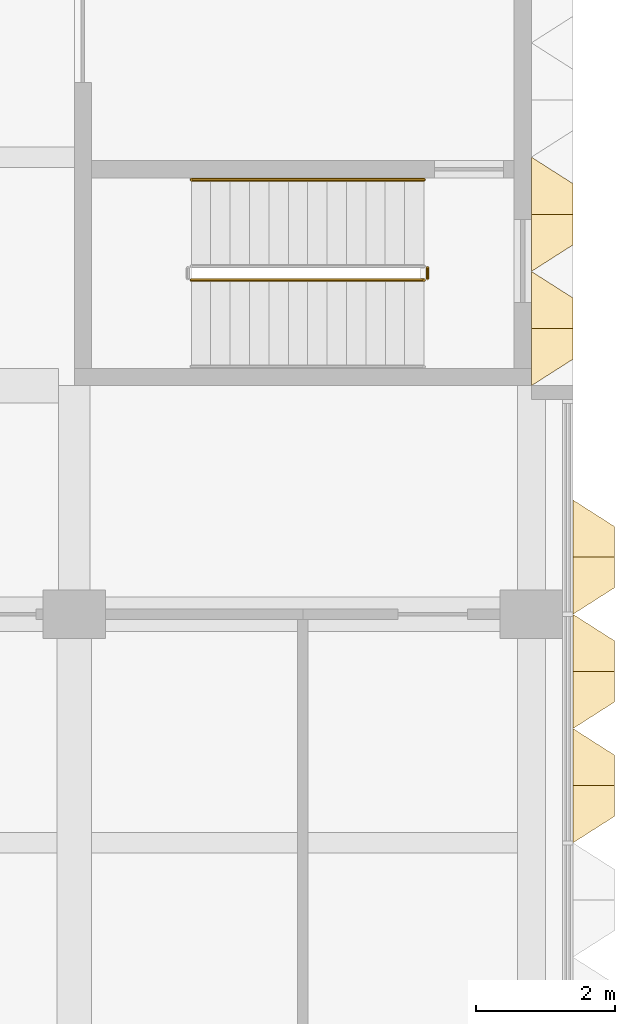
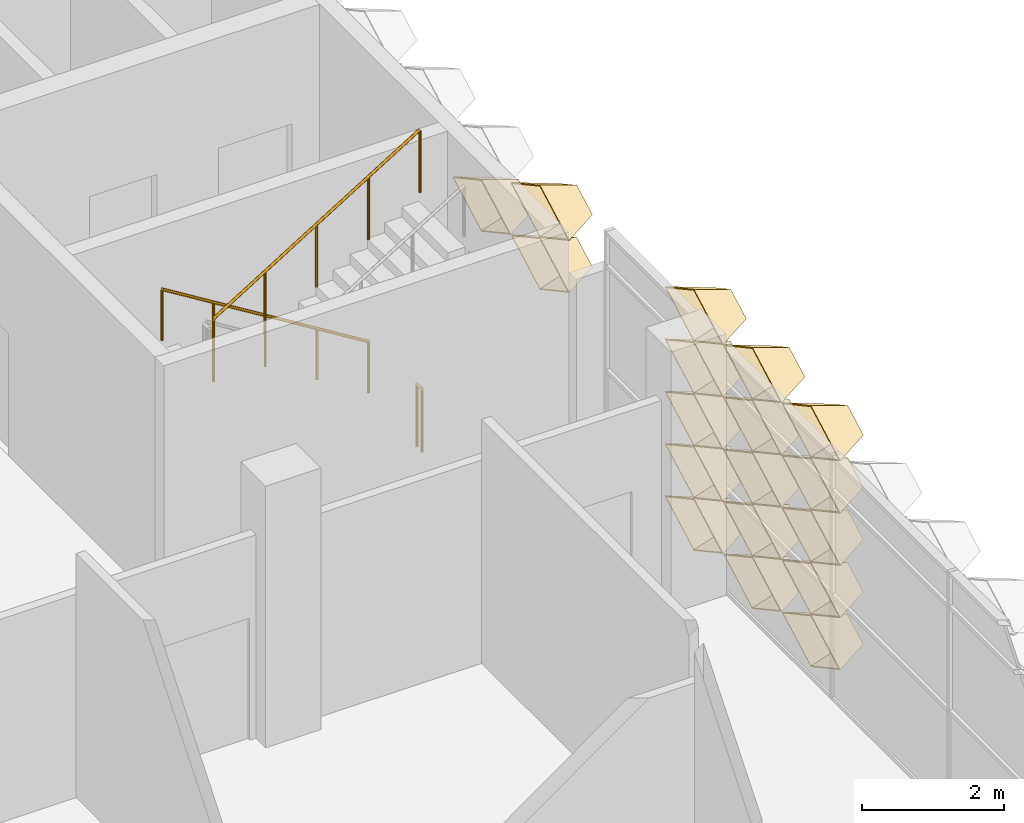
# One storey, part 79 of 102: 18 coverings, 3 railings.
"""IFC4 building model written with IfcOpenShell, lengths in metres."""

import ifcopenshell
import ifcopenshell.guid

model = None  # the IFC model being written
_history = None  # IfcOwnerHistory: only IFC2X3 demands one
_inside = {}  # id of a spatial element -> (the spatial element, [elements in it])
_under = {}  # id of a project, library or spatial element -> (it, [spatial elements below it])
_declared = {}  # id of a project -> (the project, [libraries it declares])
_typed = {}  # id of a type object -> (the type object, [elements of that type])
_made_of = {}  # id of a material, layer set ... -> (it, [elements and type objects made of it])


def new_model(schema):
    """Start an empty IFC model of exactly this schema.

    Asked for "IFC4X3", IfcOpenShell would pick the latest addendum, in which some entities
    have other attributes; the version numbers below select the first issue.
    IFC2X3 requires an IfcOwnerHistory on every rooted entity: one is made here for all.
    """
    global model, _history
    if schema == "IFC4X3":
        model = ifcopenshell.file(schema_version=(4, 3, 0, 0))
    else:
        model = ifcopenshell.file(schema=schema)
    _inside.clear()
    _under.clear()
    _declared.clear()
    _typed.clear()
    _made_of.clear()
    _history = None
    if model.schema == "IFC2X3":
        org = make("IfcOrganization", Name="unknown")
        user = make(
            "IfcPersonAndOrganization",
            ThePerson=make("IfcPerson", FamilyName="unknown"),
            TheOrganization=org,
        )
        app = make(
            "IfcApplication",
            ApplicationDeveloper=org,
            Version="unknown",
            ApplicationFullName="unknown",
            ApplicationIdentifier="unknown",
        )
        _history = make(
            "IfcOwnerHistory",
            OwningUser=user,
            OwningApplication=app,
            ChangeAction="ADDED",
            CreationDate=0,
        )
    return model


def make(cls, **values):
    """One entity of the class cls with the attributes given. An attribute that is None is left unset."""
    return model.create_entity(
        cls, **{name: value for name, value in values.items() if value is not None}
    )


def entity(cls, *values):
    """Any entity or typed value of the class cls, its attributes in the order of the schema. None: left unset."""
    e = model.create_entity(cls)
    for i, value in enumerate(values):
        if value is not None:
            e[i] = value
    return e


def rooted(cls, **values):
    """An entity with a GlobalId (a new one), such as an element, a storey or a relation."""
    return make(cls, GlobalId=ifcopenshell.guid.new(), OwnerHistory=_history, **values)


def si_unit(unit_type, name, prefix=None):
    """IfcSIUnit, for example si_unit("LENGTHUNIT", "METRE", prefix="MILLI")."""
    return make("IfcSIUnit", UnitType=unit_type, Prefix=prefix, Name=name)


def assignment(units):
    """IfcUnitAssignment: the units of a project."""
    return None if units is None else make("IfcUnitAssignment", Units=units)


def point(xyz):
    """IfcCartesianPoint."""
    return None if xyz is None else make("IfcCartesianPoint", Coordinates=xyz)


def direction(xyz):
    """IfcDirection."""
    return None if xyz is None else make("IfcDirection", DirectionRatios=xyz)


def frame(location, z_axis=None, x_axis=None):
    """IfcAxis2Placement3D, a coordinate frame: its origin and axes. An axis left out is left unset."""
    return make(
        "IfcAxis2Placement3D",
        Location=point(location),
        Axis=direction(z_axis),
        RefDirection=direction(x_axis),
    )


def frame_2d(location, x_axis=None):
    """IfcAxis2Placement2D, a coordinate frame in the plane: its origin and x axis."""
    return make(
        "IfcAxis2Placement2D", Location=point(location), RefDirection=direction(x_axis)
    )


def origin():
    """The frame at (0, 0, 0) with its axes left unset."""
    return frame((0.0, 0.0, 0.0))


def origin_2d():
    """The frame at (0, 0) in the plane with its x axis left unset."""
    return frame_2d((0.0, 0.0))


def place(relative_to, where):
    """IfcLocalPlacement: puts the frame where relative to a parent placement (None: the world)."""
    return make(
        "IfcLocalPlacement", PlacementRelTo=relative_to, RelativePlacement=where
    )


def context(
    kind, dimensions, precision=None, world=None, true_north=None, identifier=None
):
    """IfcGeometricRepresentationContext, for example the 3D "Model" context."""
    return make(
        "IfcGeometricRepresentationContext",
        ContextIdentifier=identifier,
        ContextType=kind,
        CoordinateSpaceDimension=dimensions,
        Precision=precision,
        WorldCoordinateSystem=world,
        TrueNorth=true_north,
    )


def subcontext(parent, identifier, kind, view, scale=None):
    """IfcGeometricRepresentationSubContext, for example "Body" below "Model"."""
    return make(
        "IfcGeometricRepresentationSubContext",
        ContextIdentifier=identifier,
        ContextType=kind,
        ParentContext=parent,
        TargetScale=scale,
        TargetView=view,
    )


def project(units=None, contexts=None):
    """IfcProject with its units and contexts."""
    return rooted(
        "IfcProject",
        Name="project",
        RepresentationContexts=contexts,
        UnitsInContext=assignment(units),
    )


def spatial(cls, under=None, at=None, **own):
    """A site, building, storey or space (cls), placed at a placement, below another one or the project."""
    s = rooted(cls, ObjectPlacement=at, **own)
    if under is not None:
        _under.setdefault(under.id(), (under, []))[1].append(s)
    return s


def profile(cls, at=None, kind="AREA", **sizes):
    """A parametric profile (cls). Its sizes go by their IFC names, for example OverallWidth=200.0."""
    return make(cls, ProfileType=kind, Position=at, **sizes)


def circle(**sizes):
    """IfcCircleProfileDef."""
    return profile("IfcCircleProfileDef", **sizes)


def extrude(swept, where, along, depth):
    """IfcExtrudedAreaSolid: the profile swept, set in the frame where, extruded along a direction by depth."""
    return make(
        "IfcExtrudedAreaSolid",
        SweptArea=swept,
        Position=where,
        ExtrudedDirection=direction(along),
        Depth=depth,
    )


def shape(context_of_items, identifier, shape_type, items):
    """IfcShapeRepresentation: the items that make up one representation, for example the "Body"."""
    return make(
        "IfcShapeRepresentation",
        ContextOfItems=context_of_items,
        RepresentationIdentifier=identifier,
        RepresentationType=shape_type,
        Items=items,
    )


def material(Name=None, Category=None):
    """IfcMaterial."""
    return make("IfcMaterial", Name=Name, Category=Category)


def layer(
    of_material, thickness, ventilated=None, Name=None, Category=None, Priority=None
):
    """IfcMaterialLayer: one layer of a wall or slab, of a material (None: an air gap)."""
    return make(
        "IfcMaterialLayer",
        Material=of_material,
        LayerThickness=thickness,
        IsVentilated=ventilated,
        Name=Name,
        Category=Category,
        Priority=Priority,
    )


def layer_set(layers, Name=None):
    """IfcMaterialLayerSet."""
    return make("IfcMaterialLayerSet", MaterialLayers=layers, LayerSetName=Name)


def made_of(thing, what):
    """Note that an element or type object is made of a material, layer set ...; save() writes the relation."""
    if what is not None:
        _made_of.setdefault(what.id(), (what, []))[1].append(thing)
    return thing


def type_object(cls, material=None, **own):
    """A type object (cls), such as IfcWallType, which elements share."""
    return made_of(rooted(cls, **own), material)


def element(
    cls,
    number,
    at=None,
    inside=None,
    cuts=None,
    type_object=None,
    material=None,
    context=None,
    identifier="Body",
    shape_type=None,
    held_by="IfcProductDefinitionShape",
    body=None,
    shapes=None,
    **own,
):
    """One element of the class cls, such as IfcWall. Its Tag is "e" and its number.

    at: its placement. inside: the storey or other place that contains it. cuts: it is an
    opening in that element (IfcRelVoidsElement). A single representation is given by context,
    identifier, shape_type and body (its items); several are given by shapes. held_by: the class
    of the entity that holds the representations. save() writes the other relations.
    """
    e = rooted(cls, Tag="e%d" % number, ObjectPlacement=at, **own)
    if body is not None:
        shapes = [shape(context, identifier, shape_type, body)]
    if shapes is not None:
        e.Representation = make(held_by, Representations=shapes)
    if inside is not None:
        _inside.setdefault(inside.id(), (inside, []))[1].append(e)
    if cuts is not None:
        rooted(
            "IfcRelVoidsElement", RelatingBuildingElement=cuts, RelatedOpeningElement=e
        )
    if type_object is not None:
        _typed.setdefault(type_object.id(), (type_object, []))[1].append(e)
    return made_of(e, material)


def aggregate(whole, parts):
    """IfcRelAggregates: a whole, such as a stair, and the parts it consists of."""
    return rooted("IfcRelAggregates", RelatingObject=whole, RelatedObjects=parts)


def save(model, path):
    """Write the relations noted so far, then the file.

    IfcRelAggregates (storeys below a building ...), IfcRelContainedInSpatialStructure (elements
    in a storey), IfcRelDefinesByType, IfcRelAssociatesMaterial and IfcRelDeclares: one each for
    every whole, place, type object, material and project.
    """
    for whole, parts in _under.values():
        aggregate(whole, parts)
    for where, things in _inside.values():
        rooted(
            "IfcRelContainedInSpatialStructure",
            RelatedElements=things,
            RelatingStructure=where,
        )
    for kind, things in _typed.values():
        rooted("IfcRelDefinesByType", RelatedObjects=things, RelatingType=kind)
    for what, things in _made_of.values():
        rooted("IfcRelAssociatesMaterial", RelatedObjects=things, RelatingMaterial=what)
    for by, libraries in _declared.values():
        rooted("IfcRelDeclares", RelatingContext=by, RelatedDefinitions=libraries)
    model.write(path)


model = new_model("IFC4")

# Units and contexts
model_context = context("Model", 3, precision=1e-05, world=origin(), true_north=direction((0.0, 1.0)))
body_context = subcontext(model_context, "Body", "Model", "MODEL_VIEW")
ifc_project = project(units=[si_unit("LENGTHUNIT", "METRE"), si_unit("AREAUNIT", "SQUARE_METRE"), si_unit("VOLUMEUNIT", "CUBIC_METRE"), si_unit("PLANEANGLEUNIT", "RADIAN"), si_unit("MASSUNIT", "GRAM", prefix="KILO")], contexts=[model_context])

# Site, building, storey
site_placement = place(None, origin())
site = spatial("IfcSite", under=ifc_project, at=site_placement, CompositionType="ELEMENT")
building_placement = place(site_placement, origin())
building = spatial("IfcBuilding", under=site, at=building_placement, Name="Lantern Court Research Institute", CompositionType="ELEMENT")
storey_placement = place(building_placement, frame((0.0, 0.0, 9.89990234375)))
storey = spatial("IfcBuildingStorey", under=building, at=storey_placement, Name="L02", CompositionType="ELEMENT", Elevation=9.89990234375)

# Coverings
ifc_material_1 = material(Name="Anodised aluminium", Category="aluminium")
ifc_layer = layer(ifc_material_1, 0.01611328125)
ifc_layer_set = layer_set([ifc_layer], Name="Anodised aluminium")
covering_type = type_object("IfcCoveringType", Name="Fin cassette 1650 x 900 x 600 aluminium", PredefinedType="CLADDING", material=ifc_layer_set)
covering_1_placement = place(storey_placement, frame((79.199951171875, 14.02490234375, 3.150146484375), z_axis=(1.0, 0.0, 0.0), x_axis=(0.0, 1.0, 0.0)))
cartesian_point_1 = entity("IfcCartesianPoint", [0.824951171875, 0.0])
cartesian_point_2 = entity("IfcCartesianPoint", [0.79150390625, 0.0])
cartesian_point_3 = entity("IfcCartesianPoint", [0.44189453125, 0.0])
cartesian_point_4 = entity("IfcCartesianPoint", [0.43359375, 0.0])
element("IfcCovering", 1, at=covering_1_placement, inside=storey, type_object=covering_type, Name="Fin cassette V5E-L02 4.9", PredefinedType="CLADDING", context=body_context, shape_type="SweptSolid", body=[
    entity("IfcExtrudedAreaSolidTapered", entity("IfcArbitraryProfileDefWithVoids", "AREA", None, entity("IfcPolyline", [cartesian_point_1, entity("IfcCartesianPoint", [0.0, 0.449951171875]), entity("IfcCartesianPoint", [-0.824951171875, 0.0]), entity("IfcCartesianPoint", [0.0, -0.449951171875]), cartesian_point_1]), [entity("IfcPolyline", [cartesian_point_2, entity("IfcCartesianPoint", [0.0, 0.431884765625]), entity("IfcCartesianPoint", [-0.79150390625, 0.0]), entity("IfcCartesianPoint", [0.0, -0.431884765625]), cartesian_point_2])]), entity("IfcAxis2Placement3D", entity("IfcCartesianPoint", [0.0, 0.0, 0.0])), entity("IfcDirection", [0.0, 0.0, 1.0]), 0.60009765625, entity("IfcArbitraryProfileDefWithVoids", "AREA", None, entity("IfcPolyline", [cartesian_point_3, entity("IfcCartesianPoint", [0.0, 0.240966796875]), entity("IfcCartesianPoint", [-0.44189453125, 0.0]), entity("IfcCartesianPoint", [0.0, -0.240966796875]), cartesian_point_3]), [entity("IfcPolyline", [cartesian_point_4, entity("IfcCartesianPoint", [0.0, 0.236572265625]), entity("IfcCartesianPoint", [-0.43359375, 0.0]), entity("IfcCartesianPoint", [0.0, -0.236572265625]), cartesian_point_4])])),
])
covering_2_placement = place(storey_placement, frame((79.199951171875, 15.675048828125, 3.150146484375), z_axis=(1.0, 0.0, 0.0), x_axis=(0.0, 1.0, 0.0)))
cartesian_point_5 = entity("IfcCartesianPoint", [0.824951171875, 0.0])
cartesian_point_6 = entity("IfcCartesianPoint", [0.79150390625, 0.0])
cartesian_point_7 = entity("IfcCartesianPoint", [0.44189453125, 0.0])
cartesian_point_8 = entity("IfcCartesianPoint", [0.43359375, 0.0])
element("IfcCovering", 2, at=covering_2_placement, inside=storey, type_object=covering_type, Name="Fin cassette V5E-L02 4.10", PredefinedType="CLADDING", context=body_context, shape_type="SweptSolid", body=[
    entity("IfcExtrudedAreaSolidTapered", entity("IfcArbitraryProfileDefWithVoids", "AREA", None, entity("IfcPolyline", [cartesian_point_5, entity("IfcCartesianPoint", [0.0, 0.449951171875]), entity("IfcCartesianPoint", [-0.824951171875, 0.0]), entity("IfcCartesianPoint", [0.0, -0.449951171875]), cartesian_point_5]), [entity("IfcPolyline", [cartesian_point_6, entity("IfcCartesianPoint", [0.0, 0.431884765625]), entity("IfcCartesianPoint", [-0.79150390625, 0.0]), entity("IfcCartesianPoint", [0.0, -0.431884765625]), cartesian_point_6])]), entity("IfcAxis2Placement3D", entity("IfcCartesianPoint", [0.0, 0.0, 0.0])), entity("IfcDirection", [0.0, 0.0, 1.0]), 0.60009765625, entity("IfcArbitraryProfileDefWithVoids", "AREA", None, entity("IfcPolyline", [cartesian_point_7, entity("IfcCartesianPoint", [0.0, 0.240966796875]), entity("IfcCartesianPoint", [-0.44189453125, 0.0]), entity("IfcCartesianPoint", [0.0, -0.240966796875]), cartesian_point_7]), [entity("IfcPolyline", [cartesian_point_8, entity("IfcCartesianPoint", [0.0, 0.236572265625]), entity("IfcCartesianPoint", [-0.43359375, 0.0]), entity("IfcCartesianPoint", [0.0, -0.236572265625]), cartesian_point_8])])),
])
covering_3_placement = place(storey_placement, frame((79.199951171875, 14.02490234375, 4.050048828125), z_axis=(1.0, 0.0, 0.0), x_axis=(0.0, 1.0, 0.0)))
cartesian_point_9 = entity("IfcCartesianPoint", [0.824951171875, 0.0])
cartesian_point_10 = entity("IfcCartesianPoint", [0.79150390625, 0.0])
cartesian_point_11 = entity("IfcCartesianPoint", [0.44189453125, 0.0])
cartesian_point_12 = entity("IfcCartesianPoint", [0.43359375, 0.0])
element("IfcCovering", 3, at=covering_3_placement, inside=storey, type_object=covering_type, Name="Fin cassette V5E-L02 5.9", PredefinedType="CLADDING", context=body_context, shape_type="SweptSolid", body=[
    entity("IfcExtrudedAreaSolidTapered", entity("IfcArbitraryProfileDefWithVoids", "AREA", None, entity("IfcPolyline", [cartesian_point_9, entity("IfcCartesianPoint", [0.0, 0.449951171875]), entity("IfcCartesianPoint", [-0.824951171875, 0.0]), entity("IfcCartesianPoint", [0.0, -0.449951171875]), cartesian_point_9]), [entity("IfcPolyline", [cartesian_point_10, entity("IfcCartesianPoint", [0.0, 0.431884765625]), entity("IfcCartesianPoint", [-0.79150390625, 0.0]), entity("IfcCartesianPoint", [0.0, -0.431884765625]), cartesian_point_10])]), entity("IfcAxis2Placement3D", entity("IfcCartesianPoint", [0.0, 0.0, 0.0])), entity("IfcDirection", [0.0, 0.0, 1.0]), 0.60009765625, entity("IfcArbitraryProfileDefWithVoids", "AREA", None, entity("IfcPolyline", [cartesian_point_11, entity("IfcCartesianPoint", [0.0, 0.240966796875]), entity("IfcCartesianPoint", [-0.44189453125, 0.0]), entity("IfcCartesianPoint", [0.0, -0.240966796875]), cartesian_point_11]), [entity("IfcPolyline", [cartesian_point_12, entity("IfcCartesianPoint", [0.0, 0.236572265625]), entity("IfcCartesianPoint", [-0.43359375, 0.0]), entity("IfcCartesianPoint", [0.0, -0.236572265625]), cartesian_point_12])])),
])
covering_4_placement = place(storey_placement, frame((79.800048828125, 7.425048828125, 0.4501953125), z_axis=(1.0, 0.0, 0.0), x_axis=(0.0, 1.0, 0.0)))
cartesian_point_13 = entity("IfcCartesianPoint", [0.824951171875, 0.0])
cartesian_point_14 = entity("IfcCartesianPoint", [0.79150390625, 0.0])
cartesian_point_15 = entity("IfcCartesianPoint", [0.44189453125, 0.0])
cartesian_point_16 = entity("IfcCartesianPoint", [0.43359375, 0.0])
element("IfcCovering", 4, at=covering_4_placement, inside=storey, type_object=covering_type, Name="Fin cassette V5E-L02 1.5", PredefinedType="CLADDING", context=body_context, shape_type="SweptSolid", body=[
    entity("IfcExtrudedAreaSolidTapered", entity("IfcArbitraryProfileDefWithVoids", "AREA", None, entity("IfcPolyline", [cartesian_point_13, entity("IfcCartesianPoint", [0.0, 0.449951171875]), entity("IfcCartesianPoint", [-0.824951171875, 0.0]), entity("IfcCartesianPoint", [0.0, -0.449951171875]), cartesian_point_13]), [entity("IfcPolyline", [cartesian_point_14, entity("IfcCartesianPoint", [0.0, 0.431884765625]), entity("IfcCartesianPoint", [-0.79150390625, 0.0]), entity("IfcCartesianPoint", [0.0, -0.431884765625]), cartesian_point_14])]), entity("IfcAxis2Placement3D", entity("IfcCartesianPoint", [0.0, 0.0, 0.0])), entity("IfcDirection", [0.0, 0.0, 1.0]), 0.60009765625, entity("IfcArbitraryProfileDefWithVoids", "AREA", None, entity("IfcPolyline", [cartesian_point_15, entity("IfcCartesianPoint", [0.0, 0.240966796875]), entity("IfcCartesianPoint", [-0.44189453125, 0.0]), entity("IfcCartesianPoint", [0.0, -0.240966796875]), cartesian_point_15]), [entity("IfcPolyline", [cartesian_point_16, entity("IfcCartesianPoint", [0.0, 0.236572265625]), entity("IfcCartesianPoint", [-0.43359375, 0.0]), entity("IfcCartesianPoint", [0.0, -0.236572265625]), cartesian_point_16])])),
])
covering_5_placement = place(storey_placement, frame((79.800048828125, 9.074951171875, 0.4501953125), z_axis=(1.0, 0.0, 0.0), x_axis=(0.0, 1.0, 0.0)))
cartesian_point_17 = entity("IfcCartesianPoint", [0.824951171875, 0.0])
cartesian_point_18 = entity("IfcCartesianPoint", [0.79150390625, 0.0])
cartesian_point_19 = entity("IfcCartesianPoint", [0.44189453125, 0.0])
cartesian_point_20 = entity("IfcCartesianPoint", [0.43359375, 0.0])
element("IfcCovering", 5, at=covering_5_placement, inside=storey, type_object=covering_type, Name="Fin cassette V5E-L02 1.6", PredefinedType="CLADDING", context=body_context, shape_type="SweptSolid", body=[
    entity("IfcExtrudedAreaSolidTapered", entity("IfcArbitraryProfileDefWithVoids", "AREA", None, entity("IfcPolyline", [cartesian_point_17, entity("IfcCartesianPoint", [0.0, 0.449951171875]), entity("IfcCartesianPoint", [-0.824951171875, 0.0]), entity("IfcCartesianPoint", [0.0, -0.449951171875]), cartesian_point_17]), [entity("IfcPolyline", [cartesian_point_18, entity("IfcCartesianPoint", [0.0, 0.431884765625]), entity("IfcCartesianPoint", [-0.79150390625, 0.0]), entity("IfcCartesianPoint", [0.0, -0.431884765625]), cartesian_point_18])]), entity("IfcAxis2Placement3D", entity("IfcCartesianPoint", [0.0, 0.0, 0.0])), entity("IfcDirection", [0.0, 0.0, 1.0]), 0.60009765625, entity("IfcArbitraryProfileDefWithVoids", "AREA", None, entity("IfcPolyline", [cartesian_point_19, entity("IfcCartesianPoint", [0.0, 0.240966796875]), entity("IfcCartesianPoint", [-0.44189453125, 0.0]), entity("IfcCartesianPoint", [0.0, -0.240966796875]), cartesian_point_19]), [entity("IfcPolyline", [cartesian_point_20, entity("IfcCartesianPoint", [0.0, 0.236572265625]), entity("IfcCartesianPoint", [-0.43359375, 0.0]), entity("IfcCartesianPoint", [0.0, -0.236572265625]), cartesian_point_20])])),
])
covering_6_placement = place(storey_placement, frame((79.800048828125, 10.72509765625, 0.4501953125), z_axis=(1.0, 0.0, 0.0), x_axis=(0.0, 1.0, 0.0)))
cartesian_point_21 = entity("IfcCartesianPoint", [0.824951171875, 0.0])
cartesian_point_22 = entity("IfcCartesianPoint", [0.79150390625, 0.0])
cartesian_point_23 = entity("IfcCartesianPoint", [0.44189453125, 0.0])
cartesian_point_24 = entity("IfcCartesianPoint", [0.43359375, 0.0])
element("IfcCovering", 6, at=covering_6_placement, inside=storey, type_object=covering_type, Name="Fin cassette V5E-L02 1.7", PredefinedType="CLADDING", context=body_context, shape_type="SweptSolid", body=[
    entity("IfcExtrudedAreaSolidTapered", entity("IfcArbitraryProfileDefWithVoids", "AREA", None, entity("IfcPolyline", [cartesian_point_21, entity("IfcCartesianPoint", [0.0, 0.449951171875]), entity("IfcCartesianPoint", [-0.824951171875, 0.0]), entity("IfcCartesianPoint", [0.0, -0.449951171875]), cartesian_point_21]), [entity("IfcPolyline", [cartesian_point_22, entity("IfcCartesianPoint", [0.0, 0.431884765625]), entity("IfcCartesianPoint", [-0.79150390625, 0.0]), entity("IfcCartesianPoint", [0.0, -0.431884765625]), cartesian_point_22])]), entity("IfcAxis2Placement3D", entity("IfcCartesianPoint", [0.0, 0.0, 0.0])), entity("IfcDirection", [0.0, 0.0, 1.0]), 0.60009765625, entity("IfcArbitraryProfileDefWithVoids", "AREA", None, entity("IfcPolyline", [cartesian_point_23, entity("IfcCartesianPoint", [0.0, 0.240966796875]), entity("IfcCartesianPoint", [-0.44189453125, 0.0]), entity("IfcCartesianPoint", [0.0, -0.240966796875]), cartesian_point_23]), [entity("IfcPolyline", [cartesian_point_24, entity("IfcCartesianPoint", [0.0, 0.236572265625]), entity("IfcCartesianPoint", [-0.43359375, 0.0]), entity("IfcCartesianPoint", [0.0, -0.236572265625]), cartesian_point_24])])),
])
covering_7_placement = place(storey_placement, frame((79.800048828125, 7.425048828125, 1.35009765625), z_axis=(1.0, 0.0, 0.0), x_axis=(0.0, 1.0, 0.0)))
cartesian_point_25 = entity("IfcCartesianPoint", [0.824951171875, 0.0])
cartesian_point_26 = entity("IfcCartesianPoint", [0.79150390625, 0.0])
cartesian_point_27 = entity("IfcCartesianPoint", [0.44189453125, 0.0])
cartesian_point_28 = entity("IfcCartesianPoint", [0.43359375, 0.0])
element("IfcCovering", 7, at=covering_7_placement, inside=storey, type_object=covering_type, Name="Fin cassette V5E-L02 2.5", PredefinedType="CLADDING", context=body_context, shape_type="SweptSolid", body=[
    entity("IfcExtrudedAreaSolidTapered", entity("IfcArbitraryProfileDefWithVoids", "AREA", None, entity("IfcPolyline", [cartesian_point_25, entity("IfcCartesianPoint", [0.0, 0.449951171875]), entity("IfcCartesianPoint", [-0.824951171875, 0.0]), entity("IfcCartesianPoint", [0.0, -0.449951171875]), cartesian_point_25]), [entity("IfcPolyline", [cartesian_point_26, entity("IfcCartesianPoint", [0.0, 0.431884765625]), entity("IfcCartesianPoint", [-0.79150390625, 0.0]), entity("IfcCartesianPoint", [0.0, -0.431884765625]), cartesian_point_26])]), entity("IfcAxis2Placement3D", entity("IfcCartesianPoint", [0.0, 0.0, 0.0])), entity("IfcDirection", [0.0, 0.0, 1.0]), 0.60009765625, entity("IfcArbitraryProfileDefWithVoids", "AREA", None, entity("IfcPolyline", [cartesian_point_27, entity("IfcCartesianPoint", [0.0, 0.240966796875]), entity("IfcCartesianPoint", [-0.44189453125, 0.0]), entity("IfcCartesianPoint", [0.0, -0.240966796875]), cartesian_point_27]), [entity("IfcPolyline", [cartesian_point_28, entity("IfcCartesianPoint", [0.0, 0.236572265625]), entity("IfcCartesianPoint", [-0.43359375, 0.0]), entity("IfcCartesianPoint", [0.0, -0.236572265625]), cartesian_point_28])])),
])
covering_8_placement = place(storey_placement, frame((79.800048828125, 9.074951171875, 1.35009765625), z_axis=(1.0, 0.0, 0.0), x_axis=(0.0, 1.0, 0.0)))
cartesian_point_29 = entity("IfcCartesianPoint", [0.824951171875, 0.0])
cartesian_point_30 = entity("IfcCartesianPoint", [0.79150390625, 0.0])
cartesian_point_31 = entity("IfcCartesianPoint", [0.44189453125, 0.0])
cartesian_point_32 = entity("IfcCartesianPoint", [0.43359375, 0.0])
element("IfcCovering", 8, at=covering_8_placement, inside=storey, type_object=covering_type, Name="Fin cassette V5E-L02 2.6", PredefinedType="CLADDING", context=body_context, shape_type="SweptSolid", body=[
    entity("IfcExtrudedAreaSolidTapered", entity("IfcArbitraryProfileDefWithVoids", "AREA", None, entity("IfcPolyline", [cartesian_point_29, entity("IfcCartesianPoint", [0.0, 0.449951171875]), entity("IfcCartesianPoint", [-0.824951171875, 0.0]), entity("IfcCartesianPoint", [0.0, -0.449951171875]), cartesian_point_29]), [entity("IfcPolyline", [cartesian_point_30, entity("IfcCartesianPoint", [0.0, 0.431884765625]), entity("IfcCartesianPoint", [-0.79150390625, 0.0]), entity("IfcCartesianPoint", [0.0, -0.431884765625]), cartesian_point_30])]), entity("IfcAxis2Placement3D", entity("IfcCartesianPoint", [0.0, 0.0, 0.0])), entity("IfcDirection", [0.0, 0.0, 1.0]), 0.60009765625, entity("IfcArbitraryProfileDefWithVoids", "AREA", None, entity("IfcPolyline", [cartesian_point_31, entity("IfcCartesianPoint", [0.0, 0.240966796875]), entity("IfcCartesianPoint", [-0.44189453125, 0.0]), entity("IfcCartesianPoint", [0.0, -0.240966796875]), cartesian_point_31]), [entity("IfcPolyline", [cartesian_point_32, entity("IfcCartesianPoint", [0.0, 0.236572265625]), entity("IfcCartesianPoint", [-0.43359375, 0.0]), entity("IfcCartesianPoint", [0.0, -0.236572265625]), cartesian_point_32])])),
])
covering_9_placement = place(storey_placement, frame((79.800048828125, 10.72509765625, 1.35009765625), z_axis=(1.0, 0.0, 0.0), x_axis=(0.0, 1.0, 0.0)))
cartesian_point_33 = entity("IfcCartesianPoint", [0.824951171875, 0.0])
cartesian_point_34 = entity("IfcCartesianPoint", [0.79150390625, 0.0])
cartesian_point_35 = entity("IfcCartesianPoint", [0.44189453125, 0.0])
cartesian_point_36 = entity("IfcCartesianPoint", [0.43359375, 0.0])
element("IfcCovering", 9, at=covering_9_placement, inside=storey, type_object=covering_type, Name="Fin cassette V5E-L02 2.7", PredefinedType="CLADDING", context=body_context, shape_type="SweptSolid", body=[
    entity("IfcExtrudedAreaSolidTapered", entity("IfcArbitraryProfileDefWithVoids", "AREA", None, entity("IfcPolyline", [cartesian_point_33, entity("IfcCartesianPoint", [0.0, 0.449951171875]), entity("IfcCartesianPoint", [-0.824951171875, 0.0]), entity("IfcCartesianPoint", [0.0, -0.449951171875]), cartesian_point_33]), [entity("IfcPolyline", [cartesian_point_34, entity("IfcCartesianPoint", [0.0, 0.431884765625]), entity("IfcCartesianPoint", [-0.79150390625, 0.0]), entity("IfcCartesianPoint", [0.0, -0.431884765625]), cartesian_point_34])]), entity("IfcAxis2Placement3D", entity("IfcCartesianPoint", [0.0, 0.0, 0.0])), entity("IfcDirection", [0.0, 0.0, 1.0]), 0.60009765625, entity("IfcArbitraryProfileDefWithVoids", "AREA", None, entity("IfcPolyline", [cartesian_point_35, entity("IfcCartesianPoint", [0.0, 0.240966796875]), entity("IfcCartesianPoint", [-0.44189453125, 0.0]), entity("IfcCartesianPoint", [0.0, -0.240966796875]), cartesian_point_35]), [entity("IfcPolyline", [cartesian_point_36, entity("IfcCartesianPoint", [0.0, 0.236572265625]), entity("IfcCartesianPoint", [-0.43359375, 0.0]), entity("IfcCartesianPoint", [0.0, -0.236572265625]), cartesian_point_36])])),
])
covering_10_placement = place(storey_placement, frame((79.800048828125, 7.425048828125, 2.25), z_axis=(1.0, 0.0, 0.0), x_axis=(0.0, 1.0, 0.0)))
cartesian_point_37 = entity("IfcCartesianPoint", [0.824951171875, 0.0])
cartesian_point_38 = entity("IfcCartesianPoint", [0.79150390625, 0.0])
cartesian_point_39 = entity("IfcCartesianPoint", [0.44189453125, 0.0])
cartesian_point_40 = entity("IfcCartesianPoint", [0.43359375, 0.0])
element("IfcCovering", 10, at=covering_10_placement, inside=storey, type_object=covering_type, Name="Fin cassette V5E-L02 3.5", PredefinedType="CLADDING", context=body_context, shape_type="SweptSolid", body=[
    entity("IfcExtrudedAreaSolidTapered", entity("IfcArbitraryProfileDefWithVoids", "AREA", None, entity("IfcPolyline", [cartesian_point_37, entity("IfcCartesianPoint", [0.0, 0.449951171875]), entity("IfcCartesianPoint", [-0.824951171875, 0.0]), entity("IfcCartesianPoint", [0.0, -0.449951171875]), cartesian_point_37]), [entity("IfcPolyline", [cartesian_point_38, entity("IfcCartesianPoint", [0.0, 0.431884765625]), entity("IfcCartesianPoint", [-0.79150390625, 0.0]), entity("IfcCartesianPoint", [0.0, -0.431884765625]), cartesian_point_38])]), entity("IfcAxis2Placement3D", entity("IfcCartesianPoint", [0.0, 0.0, 0.0])), entity("IfcDirection", [0.0, 0.0, 1.0]), 0.60009765625, entity("IfcArbitraryProfileDefWithVoids", "AREA", None, entity("IfcPolyline", [cartesian_point_39, entity("IfcCartesianPoint", [0.0, 0.240966796875]), entity("IfcCartesianPoint", [-0.44189453125, 0.0]), entity("IfcCartesianPoint", [0.0, -0.240966796875]), cartesian_point_39]), [entity("IfcPolyline", [cartesian_point_40, entity("IfcCartesianPoint", [0.0, 0.236572265625]), entity("IfcCartesianPoint", [-0.43359375, 0.0]), entity("IfcCartesianPoint", [0.0, -0.236572265625]), cartesian_point_40])])),
])
covering_11_placement = place(storey_placement, frame((79.800048828125, 9.074951171875, 2.25), z_axis=(1.0, 0.0, 0.0), x_axis=(0.0, 1.0, 0.0)))
cartesian_point_41 = entity("IfcCartesianPoint", [0.824951171875, 0.0])
cartesian_point_42 = entity("IfcCartesianPoint", [0.79150390625, 0.0])
cartesian_point_43 = entity("IfcCartesianPoint", [0.44189453125, 0.0])
cartesian_point_44 = entity("IfcCartesianPoint", [0.43359375, 0.0])
element("IfcCovering", 11, at=covering_11_placement, inside=storey, type_object=covering_type, Name="Fin cassette V5E-L02 3.6", PredefinedType="CLADDING", context=body_context, shape_type="SweptSolid", body=[
    entity("IfcExtrudedAreaSolidTapered", entity("IfcArbitraryProfileDefWithVoids", "AREA", None, entity("IfcPolyline", [cartesian_point_41, entity("IfcCartesianPoint", [0.0, 0.449951171875]), entity("IfcCartesianPoint", [-0.824951171875, 0.0]), entity("IfcCartesianPoint", [0.0, -0.449951171875]), cartesian_point_41]), [entity("IfcPolyline", [cartesian_point_42, entity("IfcCartesianPoint", [0.0, 0.431884765625]), entity("IfcCartesianPoint", [-0.79150390625, 0.0]), entity("IfcCartesianPoint", [0.0, -0.431884765625]), cartesian_point_42])]), entity("IfcAxis2Placement3D", entity("IfcCartesianPoint", [0.0, 0.0, 0.0])), entity("IfcDirection", [0.0, 0.0, 1.0]), 0.60009765625, entity("IfcArbitraryProfileDefWithVoids", "AREA", None, entity("IfcPolyline", [cartesian_point_43, entity("IfcCartesianPoint", [0.0, 0.240966796875]), entity("IfcCartesianPoint", [-0.44189453125, 0.0]), entity("IfcCartesianPoint", [0.0, -0.240966796875]), cartesian_point_43]), [entity("IfcPolyline", [cartesian_point_44, entity("IfcCartesianPoint", [0.0, 0.236572265625]), entity("IfcCartesianPoint", [-0.43359375, 0.0]), entity("IfcCartesianPoint", [0.0, -0.236572265625]), cartesian_point_44])])),
])
covering_12_placement = place(storey_placement, frame((79.800048828125, 10.72509765625, 2.25), z_axis=(1.0, 0.0, 0.0), x_axis=(0.0, 1.0, 0.0)))
cartesian_point_45 = entity("IfcCartesianPoint", [0.824951171875, 0.0])
cartesian_point_46 = entity("IfcCartesianPoint", [0.79150390625, 0.0])
cartesian_point_47 = entity("IfcCartesianPoint", [0.44189453125, 0.0])
cartesian_point_48 = entity("IfcCartesianPoint", [0.43359375, 0.0])
element("IfcCovering", 12, at=covering_12_placement, inside=storey, type_object=covering_type, Name="Fin cassette V5E-L02 3.7", PredefinedType="CLADDING", context=body_context, shape_type="SweptSolid", body=[
    entity("IfcExtrudedAreaSolidTapered", entity("IfcArbitraryProfileDefWithVoids", "AREA", None, entity("IfcPolyline", [cartesian_point_45, entity("IfcCartesianPoint", [0.0, 0.449951171875]), entity("IfcCartesianPoint", [-0.824951171875, 0.0]), entity("IfcCartesianPoint", [0.0, -0.449951171875]), cartesian_point_45]), [entity("IfcPolyline", [cartesian_point_46, entity("IfcCartesianPoint", [0.0, 0.431884765625]), entity("IfcCartesianPoint", [-0.79150390625, 0.0]), entity("IfcCartesianPoint", [0.0, -0.431884765625]), cartesian_point_46])]), entity("IfcAxis2Placement3D", entity("IfcCartesianPoint", [0.0, 0.0, 0.0])), entity("IfcDirection", [0.0, 0.0, 1.0]), 0.60009765625, entity("IfcArbitraryProfileDefWithVoids", "AREA", None, entity("IfcPolyline", [cartesian_point_47, entity("IfcCartesianPoint", [0.0, 0.240966796875]), entity("IfcCartesianPoint", [-0.44189453125, 0.0]), entity("IfcCartesianPoint", [0.0, -0.240966796875]), cartesian_point_47]), [entity("IfcPolyline", [cartesian_point_48, entity("IfcCartesianPoint", [0.0, 0.236572265625]), entity("IfcCartesianPoint", [-0.43359375, 0.0]), entity("IfcCartesianPoint", [0.0, -0.236572265625]), cartesian_point_48])])),
])
covering_13_placement = place(storey_placement, frame((79.800048828125, 7.425048828125, 3.150146484375), z_axis=(1.0, 0.0, 0.0), x_axis=(0.0, 1.0, 0.0)))
cartesian_point_49 = entity("IfcCartesianPoint", [0.824951171875, 0.0])
cartesian_point_50 = entity("IfcCartesianPoint", [0.79150390625, 0.0])
cartesian_point_51 = entity("IfcCartesianPoint", [0.44189453125, 0.0])
cartesian_point_52 = entity("IfcCartesianPoint", [0.43359375, 0.0])
element("IfcCovering", 13, at=covering_13_placement, inside=storey, type_object=covering_type, Name="Fin cassette V5E-L02 4.5", PredefinedType="CLADDING", context=body_context, shape_type="SweptSolid", body=[
    entity("IfcExtrudedAreaSolidTapered", entity("IfcArbitraryProfileDefWithVoids", "AREA", None, entity("IfcPolyline", [cartesian_point_49, entity("IfcCartesianPoint", [0.0, 0.449951171875]), entity("IfcCartesianPoint", [-0.824951171875, 0.0]), entity("IfcCartesianPoint", [0.0, -0.449951171875]), cartesian_point_49]), [entity("IfcPolyline", [cartesian_point_50, entity("IfcCartesianPoint", [0.0, 0.431884765625]), entity("IfcCartesianPoint", [-0.79150390625, 0.0]), entity("IfcCartesianPoint", [0.0, -0.431884765625]), cartesian_point_50])]), entity("IfcAxis2Placement3D", entity("IfcCartesianPoint", [0.0, 0.0, 0.0])), entity("IfcDirection", [0.0, 0.0, 1.0]), 0.60009765625, entity("IfcArbitraryProfileDefWithVoids", "AREA", None, entity("IfcPolyline", [cartesian_point_51, entity("IfcCartesianPoint", [0.0, 0.240966796875]), entity("IfcCartesianPoint", [-0.44189453125, 0.0]), entity("IfcCartesianPoint", [0.0, -0.240966796875]), cartesian_point_51]), [entity("IfcPolyline", [cartesian_point_52, entity("IfcCartesianPoint", [0.0, 0.236572265625]), entity("IfcCartesianPoint", [-0.43359375, 0.0]), entity("IfcCartesianPoint", [0.0, -0.236572265625]), cartesian_point_52])])),
])
covering_14_placement = place(storey_placement, frame((79.800048828125, 9.074951171875, 3.150146484375), z_axis=(1.0, 0.0, 0.0), x_axis=(0.0, 1.0, 0.0)))
cartesian_point_53 = entity("IfcCartesianPoint", [0.824951171875, 0.0])
cartesian_point_54 = entity("IfcCartesianPoint", [0.79150390625, 0.0])
cartesian_point_55 = entity("IfcCartesianPoint", [0.44189453125, 0.0])
cartesian_point_56 = entity("IfcCartesianPoint", [0.43359375, 0.0])
element("IfcCovering", 14, at=covering_14_placement, inside=storey, type_object=covering_type, Name="Fin cassette V5E-L02 4.6", PredefinedType="CLADDING", context=body_context, shape_type="SweptSolid", body=[
    entity("IfcExtrudedAreaSolidTapered", entity("IfcArbitraryProfileDefWithVoids", "AREA", None, entity("IfcPolyline", [cartesian_point_53, entity("IfcCartesianPoint", [0.0, 0.449951171875]), entity("IfcCartesianPoint", [-0.824951171875, 0.0]), entity("IfcCartesianPoint", [0.0, -0.449951171875]), cartesian_point_53]), [entity("IfcPolyline", [cartesian_point_54, entity("IfcCartesianPoint", [0.0, 0.431884765625]), entity("IfcCartesianPoint", [-0.79150390625, 0.0]), entity("IfcCartesianPoint", [0.0, -0.431884765625]), cartesian_point_54])]), entity("IfcAxis2Placement3D", entity("IfcCartesianPoint", [0.0, 0.0, 0.0])), entity("IfcDirection", [0.0, 0.0, 1.0]), 0.60009765625, entity("IfcArbitraryProfileDefWithVoids", "AREA", None, entity("IfcPolyline", [cartesian_point_55, entity("IfcCartesianPoint", [0.0, 0.240966796875]), entity("IfcCartesianPoint", [-0.44189453125, 0.0]), entity("IfcCartesianPoint", [0.0, -0.240966796875]), cartesian_point_55]), [entity("IfcPolyline", [cartesian_point_56, entity("IfcCartesianPoint", [0.0, 0.236572265625]), entity("IfcCartesianPoint", [-0.43359375, 0.0]), entity("IfcCartesianPoint", [0.0, -0.236572265625]), cartesian_point_56])])),
])
covering_15_placement = place(storey_placement, frame((79.800048828125, 10.72509765625, 3.150146484375), z_axis=(1.0, 0.0, 0.0), x_axis=(0.0, 1.0, 0.0)))
cartesian_point_57 = entity("IfcCartesianPoint", [0.824951171875, 0.0])
cartesian_point_58 = entity("IfcCartesianPoint", [0.79150390625, 0.0])
cartesian_point_59 = entity("IfcCartesianPoint", [0.44189453125, 0.0])
cartesian_point_60 = entity("IfcCartesianPoint", [0.43359375, 0.0])
element("IfcCovering", 15, at=covering_15_placement, inside=storey, type_object=covering_type, Name="Fin cassette V5E-L02 4.7", PredefinedType="CLADDING", context=body_context, shape_type="SweptSolid", body=[
    entity("IfcExtrudedAreaSolidTapered", entity("IfcArbitraryProfileDefWithVoids", "AREA", None, entity("IfcPolyline", [cartesian_point_57, entity("IfcCartesianPoint", [0.0, 0.449951171875]), entity("IfcCartesianPoint", [-0.824951171875, 0.0]), entity("IfcCartesianPoint", [0.0, -0.449951171875]), cartesian_point_57]), [entity("IfcPolyline", [cartesian_point_58, entity("IfcCartesianPoint", [0.0, 0.431884765625]), entity("IfcCartesianPoint", [-0.79150390625, 0.0]), entity("IfcCartesianPoint", [0.0, -0.431884765625]), cartesian_point_58])]), entity("IfcAxis2Placement3D", entity("IfcCartesianPoint", [0.0, 0.0, 0.0])), entity("IfcDirection", [0.0, 0.0, 1.0]), 0.60009765625, entity("IfcArbitraryProfileDefWithVoids", "AREA", None, entity("IfcPolyline", [cartesian_point_59, entity("IfcCartesianPoint", [0.0, 0.240966796875]), entity("IfcCartesianPoint", [-0.44189453125, 0.0]), entity("IfcCartesianPoint", [0.0, -0.240966796875]), cartesian_point_59]), [entity("IfcPolyline", [cartesian_point_60, entity("IfcCartesianPoint", [0.0, 0.236572265625]), entity("IfcCartesianPoint", [-0.43359375, 0.0]), entity("IfcCartesianPoint", [0.0, -0.236572265625]), cartesian_point_60])])),
])
covering_16_placement = place(storey_placement, frame((79.800048828125, 7.425048828125, 4.050048828125), z_axis=(1.0, 0.0, 0.0), x_axis=(0.0, 1.0, 0.0)))
cartesian_point_61 = entity("IfcCartesianPoint", [0.824951171875, 0.0])
cartesian_point_62 = entity("IfcCartesianPoint", [0.79150390625, 0.0])
cartesian_point_63 = entity("IfcCartesianPoint", [0.44189453125, 0.0])
cartesian_point_64 = entity("IfcCartesianPoint", [0.43359375, 0.0])
element("IfcCovering", 16, at=covering_16_placement, inside=storey, type_object=covering_type, Name="Fin cassette V5E-L02 5.5", PredefinedType="CLADDING", context=body_context, shape_type="SweptSolid", body=[
    entity("IfcExtrudedAreaSolidTapered", entity("IfcArbitraryProfileDefWithVoids", "AREA", None, entity("IfcPolyline", [cartesian_point_61, entity("IfcCartesianPoint", [0.0, 0.449951171875]), entity("IfcCartesianPoint", [-0.824951171875, 0.0]), entity("IfcCartesianPoint", [0.0, -0.449951171875]), cartesian_point_61]), [entity("IfcPolyline", [cartesian_point_62, entity("IfcCartesianPoint", [0.0, 0.431884765625]), entity("IfcCartesianPoint", [-0.79150390625, 0.0]), entity("IfcCartesianPoint", [0.0, -0.431884765625]), cartesian_point_62])]), entity("IfcAxis2Placement3D", entity("IfcCartesianPoint", [0.0, 0.0, 0.0])), entity("IfcDirection", [0.0, 0.0, 1.0]), 0.60009765625, entity("IfcArbitraryProfileDefWithVoids", "AREA", None, entity("IfcPolyline", [cartesian_point_63, entity("IfcCartesianPoint", [0.0, 0.240966796875]), entity("IfcCartesianPoint", [-0.44189453125, 0.0]), entity("IfcCartesianPoint", [0.0, -0.240966796875]), cartesian_point_63]), [entity("IfcPolyline", [cartesian_point_64, entity("IfcCartesianPoint", [0.0, 0.236572265625]), entity("IfcCartesianPoint", [-0.43359375, 0.0]), entity("IfcCartesianPoint", [0.0, -0.236572265625]), cartesian_point_64])])),
])
covering_17_placement = place(storey_placement, frame((79.800048828125, 9.074951171875, 4.050048828125), z_axis=(1.0, 0.0, 0.0), x_axis=(0.0, 1.0, 0.0)))
cartesian_point_65 = entity("IfcCartesianPoint", [0.824951171875, 0.0])
cartesian_point_66 = entity("IfcCartesianPoint", [0.79150390625, 0.0])
cartesian_point_67 = entity("IfcCartesianPoint", [0.44189453125, 0.0])
cartesian_point_68 = entity("IfcCartesianPoint", [0.43359375, 0.0])
element("IfcCovering", 17, at=covering_17_placement, inside=storey, type_object=covering_type, Name="Fin cassette V5E-L02 5.6", PredefinedType="CLADDING", context=body_context, shape_type="SweptSolid", body=[
    entity("IfcExtrudedAreaSolidTapered", entity("IfcArbitraryProfileDefWithVoids", "AREA", None, entity("IfcPolyline", [cartesian_point_65, entity("IfcCartesianPoint", [0.0, 0.449951171875]), entity("IfcCartesianPoint", [-0.824951171875, 0.0]), entity("IfcCartesianPoint", [0.0, -0.449951171875]), cartesian_point_65]), [entity("IfcPolyline", [cartesian_point_66, entity("IfcCartesianPoint", [0.0, 0.431884765625]), entity("IfcCartesianPoint", [-0.79150390625, 0.0]), entity("IfcCartesianPoint", [0.0, -0.431884765625]), cartesian_point_66])]), entity("IfcAxis2Placement3D", entity("IfcCartesianPoint", [0.0, 0.0, 0.0])), entity("IfcDirection", [0.0, 0.0, 1.0]), 0.60009765625, entity("IfcArbitraryProfileDefWithVoids", "AREA", None, entity("IfcPolyline", [cartesian_point_67, entity("IfcCartesianPoint", [0.0, 0.240966796875]), entity("IfcCartesianPoint", [-0.44189453125, 0.0]), entity("IfcCartesianPoint", [0.0, -0.240966796875]), cartesian_point_67]), [entity("IfcPolyline", [cartesian_point_68, entity("IfcCartesianPoint", [0.0, 0.236572265625]), entity("IfcCartesianPoint", [-0.43359375, 0.0]), entity("IfcCartesianPoint", [0.0, -0.236572265625]), cartesian_point_68])])),
])
covering_18_placement = place(storey_placement, frame((79.800048828125, 10.72509765625, 4.050048828125), z_axis=(1.0, 0.0, 0.0), x_axis=(0.0, 1.0, 0.0)))
cartesian_point_69 = entity("IfcCartesianPoint", [0.824951171875, 0.0])
cartesian_point_70 = entity("IfcCartesianPoint", [0.79150390625, 0.0])
cartesian_point_71 = entity("IfcCartesianPoint", [0.44189453125, 0.0])
cartesian_point_72 = entity("IfcCartesianPoint", [0.43359375, 0.0])
element("IfcCovering", 18, at=covering_18_placement, inside=storey, type_object=covering_type, Name="Fin cassette V5E-L02 5.7", PredefinedType="CLADDING", context=body_context, shape_type="SweptSolid", body=[
    entity("IfcExtrudedAreaSolidTapered", entity("IfcArbitraryProfileDefWithVoids", "AREA", None, entity("IfcPolyline", [cartesian_point_69, entity("IfcCartesianPoint", [0.0, 0.449951171875]), entity("IfcCartesianPoint", [-0.824951171875, 0.0]), entity("IfcCartesianPoint", [0.0, -0.449951171875]), cartesian_point_69]), [entity("IfcPolyline", [cartesian_point_70, entity("IfcCartesianPoint", [0.0, 0.431884765625]), entity("IfcCartesianPoint", [-0.79150390625, 0.0]), entity("IfcCartesianPoint", [0.0, -0.431884765625]), cartesian_point_70])]), entity("IfcAxis2Placement3D", entity("IfcCartesianPoint", [0.0, 0.0, 0.0])), entity("IfcDirection", [0.0, 0.0, 1.0]), 0.60009765625, entity("IfcArbitraryProfileDefWithVoids", "AREA", None, entity("IfcPolyline", [cartesian_point_71, entity("IfcCartesianPoint", [0.0, 0.240966796875]), entity("IfcCartesianPoint", [-0.44189453125, 0.0]), entity("IfcCartesianPoint", [0.0, -0.240966796875]), cartesian_point_71]), [entity("IfcPolyline", [cartesian_point_72, entity("IfcCartesianPoint", [0.0, 0.236572265625]), entity("IfcCartesianPoint", [-0.43359375, 0.0]), entity("IfcCartesianPoint", [0.0, -0.236572265625]), cartesian_point_72])])),
])

# Railings
ifc_material_2 = material(Name="Structural steel S355", Category="steel")
railing_type_1 = type_object("IfcRailingType", Name="Stair guard 1100 steel", PredefinedType="GUARDRAIL", material=ifc_material_2)
railing_1_placement = place(storey_placement, frame((74.2900390625, 14.72509765625, 2.423095703125)))
element("IfcRailing", 19, at=railing_1_placement, inside=storey, type_object=railing_type_1, Name="L02 ST-T2 stair guard 3", PredefinedType="GUARDRAIL", context=body_context, shape_type="SweptSolid", body=[
    extrude(circle(Radius=0.02392578125, at=origin_2d()), frame((0.0, 0.0, 1.076171875), z_axis=(0.850606129759, 0.0, 0.525803396734), x_axis=(0.0, 1.0, 0.0)), (0.0, 0.0, 1.0), 3.949951171875),
    extrude(circle(Radius=0.02099609375, at=origin_2d()), origin(), (0.0, 0.0, 1.0), 1.052001953125),
    extrude(circle(Radius=0.02099609375, at=origin_2d()), frame((0.83984375, 0.0, 0.519287109375)), (0.0, 0.0, 1.0), 1.052001953125),
    extrude(circle(Radius=0.02099609375, at=origin_2d()), frame((1.679931640625, 0.0, 1.03857421875)), (0.0, 0.0, 1.0), 1.052001953125),
    extrude(circle(Radius=0.02099609375, at=origin_2d()), frame((2.52001953125, 0.0, 1.5576171875)), (0.0, 0.0, 1.0), 1.052001953125),
    extrude(circle(Radius=0.02099609375, at=origin_2d()), frame((3.35986328125, 0.0, 2.076904296875)), (0.0, 0.0, 1.0), 1.052001953125),
])
railing_2_placement = place(storey_placement, frame((77.699951171875, 14.89990234375, 0.0)))
element("IfcRailing", 20, at=railing_2_placement, inside=storey, type_object=railing_type_1, Name="L02 ST-T2 stair guard 4", PredefinedType="GUARDRAIL", context=body_context, shape_type="SweptSolid", body=[
    extrude(circle(Radius=0.02392578125, at=origin_2d()), frame((0.0, 0.0, 1.076171875), z_axis=(0.0, -1.0, 0.0), x_axis=(1.0, 0.0, 0.0)), (0.0, 0.0, 1.0), 0.14990234375),
    extrude(circle(Radius=0.02099609375, at=origin_2d()), origin(), (0.0, 0.0, 1.0), 1.052001953125),
    extrude(circle(Radius=0.02099609375, at=origin_2d()), frame((0.0, -0.14990234375, 0.0)), (0.0, 0.0, 1.0), 1.052001953125),
])
ifc_material_3 = material(Name="Stainless steel 316", Category="steel")
railing_type_2 = type_object("IfcRailingType", Name="Stair handrail 900 steel", PredefinedType="HANDRAIL", material=ifc_material_3)
railing_3_placement = place(storey_placement, frame((77.64990234375, 16.175048828125, 0.173095703125)))
element("IfcRailing", 21, at=railing_3_placement, inside=storey, type_object=railing_type_2, Name="L02 ST-T2 stair handrail 1", PredefinedType="HANDRAIL", context=body_context, shape_type="SweptSolid", body=[
    extrude(circle(Radius=0.02392578125, at=origin_2d()), frame((0.0, 0.0, 0.8759765625), z_axis=(-0.850606129759, 0.0, 0.525803396734), x_axis=(0.0, -1.0, 0.0)), (0.0, 0.0, 1.0), 3.949951171875),
    extrude(circle(Radius=0.02099609375, at=origin_2d()), origin(), (0.0, 0.0, 1.0), 0.851806640625),
    extrude(circle(Radius=0.02099609375, at=origin_2d()), frame((-0.83984375, 0.0, 0.519287109375)), (0.0, 0.0, 1.0), 0.851806640625),
    extrude(circle(Radius=0.02099609375, at=origin_2d()), frame((-1.679931640625, 0.0, 1.03857421875)), (0.0, 0.0, 1.0), 0.851806640625),
    extrude(circle(Radius=0.02099609375, at=origin_2d()), frame((-2.52001953125, 0.0, 1.5576171875)), (0.0, 0.0, 1.0), 0.851806640625),
    extrude(circle(Radius=0.02099609375, at=origin_2d()), frame((-3.35986328125, 0.0, 2.076904296875)), (0.0, 0.0, 1.0), 0.851806640625),
])

save(model, "model.ifc")
